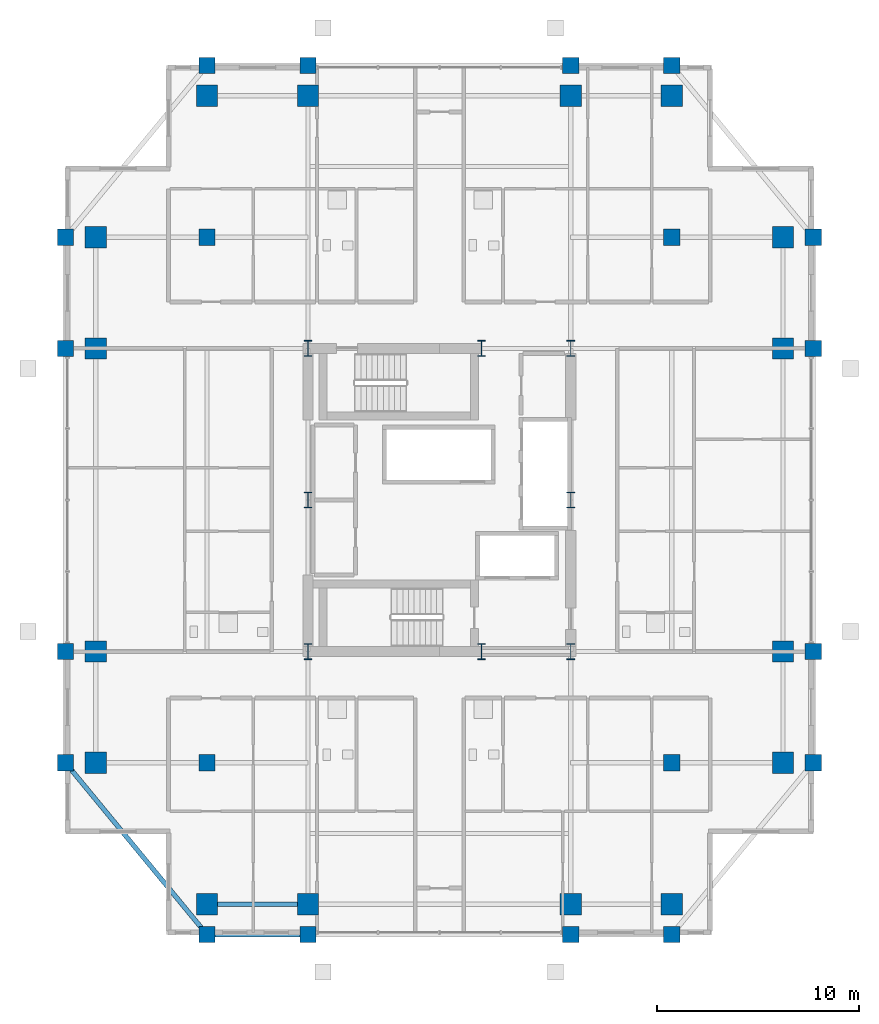
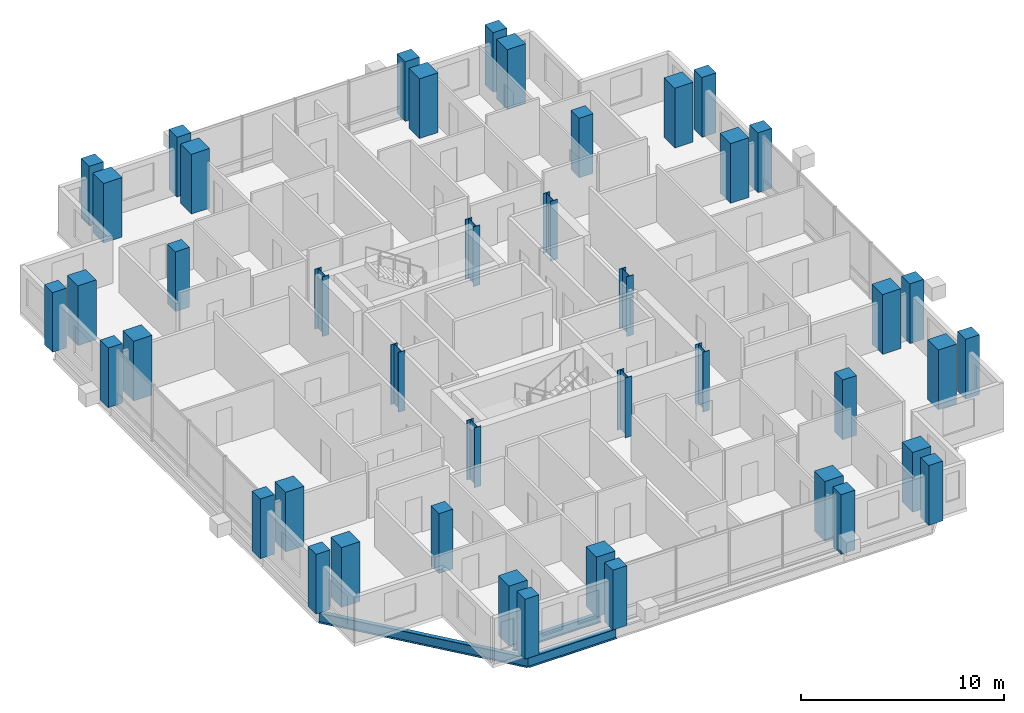
# One storey, part 1 of 24: 44 columns, 3 beams.
"""IFC4 building model written with IfcOpenShell, lengths in metres."""

from ifc_helpers import new_model, si_unit, direction, frame, origin, origin_2d, place, context, subcontext, project, spatial, rectangle, i_section, extrude, material, material_profile, profile_set, type_object, element, save


model = new_model("IFC4")

# Units and contexts
model_context = context("Model", 3, precision=1e-05, world=origin(), true_north=direction((0.0, 1.0)))
body_context = subcontext(model_context, "Body", "Model", "MODEL_VIEW")
ifc_project = project(units=[si_unit("LENGTHUNIT", "METRE"), si_unit("AREAUNIT", "SQUARE_METRE"), si_unit("VOLUMEUNIT", "CUBIC_METRE"), si_unit("PLANEANGLEUNIT", "RADIAN"), si_unit("MASSUNIT", "GRAM", prefix="KILO")], contexts=[model_context])

# Site, building, storey
site_placement = place(None, origin())
site = spatial("IfcSite", under=ifc_project, at=site_placement, CompositionType="ELEMENT")
building_placement = place(site_placement, origin())
building = spatial("IfcBuilding", under=site, at=building_placement, Name="Barlavira Tower and Art Museum", CompositionType="ELEMENT")
storey_placement = place(building_placement, frame((0.0, 0.0, 169.199951171875)))
storey = spatial("IfcBuildingStorey", under=building, at=storey_placement, Name="L43", CompositionType="ELEMENT", Elevation=169.199951171875)

# Columns
ifc_material_1 = material(Name="Steel S355", Category="steel")
ifc_material_profile_1 = material_profile(ifc_material_1, i_section(OverallWidth=0.382080078125, OverallDepth=0.785888671875, WebThickness=0.02001953125, FlangeThickness=0.032958984375, at=origin_2d()), Name="W760x314.0")
ifc_profile_set_1 = profile_set([ifc_material_profile_1], Name="Steel S355")
column_type_1 = type_object("IfcColumnType", Name="Core Composite Column W760x314 Steel S355", PredefinedType="COLUMN", material=ifc_profile_set_1)
for number, where, z_axis, x_axis, name in (
    (1, (-6.5, -7.5, 0.0), (0.0, 0.0, 1.0), (1.0, 0.0, 0.0), "L43 Column CC-L43-C1"),
    (2, (2.080078125, -7.5, 0.0), (0.0, 0.0, 1.0), (1.0, 0.0, 0.0), "L43 Column CC-L43-C2"),
    (3, (6.5, -7.5, 0.0), (0.0, 0.0, 1.0), (1.0, 0.0, 0.0), "L43 Column CC-L43-C3"),
    (4, (-6.5, 0.0, 0.0), (0.0, 0.0, 1.0), (1.0, 0.0, 0.0), "L43 Column CC-L43-C4"),
    (5, (6.5, 0.0, 0.0), (0.0, 0.0, 1.0), (1.0, 0.0, 0.0), "L43 Column CC-L43-C5"),
    (6, (-6.5, 7.5, 0.0), (0.0, 0.0, 1.0), (1.0, 0.0, 0.0), "L43 Column CC-L43-C6"),
    (7, (2.080078125, 7.5, 0.0), (0.0, 0.0, 1.0), (1.0, 0.0, 0.0), "L43 Column CC-L43-C7"),
    (8, (6.5, 7.5, 0.0), (0.0, 0.0, 1.0), (1.0, 0.0, 0.0), "L43 Column CC-L43-C8"),
):
    element("IfcColumn", number, at=place(storey_placement, frame(where, z_axis=z_axis, x_axis=x_axis)), inside=storey, type_object=column_type_1, Name=name, PredefinedType="COLUMN", context=body_context, shape_type="SweptSolid", body=[
        extrude(i_section(OverallWidth=0.382080078125, OverallDepth=0.785888671875, WebThickness=0.02001953125, FlangeThickness=0.032958984375, at=origin_2d()), origin(), (0.0, 0.0, 1.0), 3.60009765625),
    ])
ifc_material_2 = material(Name="Concrete C55", Category="concrete")
ifc_material_profile_2 = material_profile(ifc_material_2, rectangle(XDim=1.050048828125, YDim=1.050048828125, at=origin_2d()), Name="RC-COL 1050x1050")
ifc_profile_set_2 = profile_set([ifc_material_profile_2], Name="Concrete C55")
column_type_2 = type_object("IfcColumnType", Name="Perimeter Mega Column 1050x1050 Concrete C55", PredefinedType="USERDEFINED", material=ifc_profile_set_2)
for number, where, z_axis, x_axis, name in (
    (9, (-11.5, -20.0, 0.0), (0.0, 0.0, 1.0), (1.0, 0.0, 0.0), "L43 Column MC-L43-M01"),
    (10, (-6.5, -20.0, 0.0), (0.0, 0.0, 1.0), (1.0, 0.0, 0.0), "L43 Column MC-L43-M02"),
    (11, (6.5, -20.0, 0.0), (0.0, 0.0, 1.0), (1.0, 0.0, 0.0), "L43 Column MC-L43-M03"),
    (12, (11.5, -20.0, 0.0), (0.0, 0.0, 1.0), (1.0, 0.0, 0.0), "L43 Column MC-L43-M04"),
    (13, (17.0, -13.0, 0.0), (0.0, 0.0, 1.0), (1.0, 0.0, 0.0), "L43 Column MC-L43-M05"),
    (14, (17.0, -7.5, 0.0), (0.0, 0.0, 1.0), (1.0, 0.0, 0.0), "L43 Column MC-L43-M06"),
    (15, (17.0, 7.5, 0.0), (0.0, 0.0, 1.0), (1.0, 0.0, 0.0), "L43 Column MC-L43-M07"),
    (16, (17.0, 13.0, 0.0), (0.0, 0.0, 1.0), (1.0, 0.0, 0.0), "L43 Column MC-L43-M08"),
    (17, (11.5, 20.0, 0.0), (0.0, 0.0, 1.0), (1.0, 0.0, 0.0), "L43 Column MC-L43-M09"),
    (18, (6.5, 20.0, 0.0), (0.0, 0.0, 1.0), (1.0, 0.0, 0.0), "L43 Column MC-L43-M10"),
    (19, (-6.5, 20.0, 0.0), (0.0, 0.0, 1.0), (1.0, 0.0, 0.0), "L43 Column MC-L43-M11"),
    (20, (-11.5, 20.0, 0.0), (0.0, 0.0, 1.0), (1.0, 0.0, 0.0), "L43 Column MC-L43-M12"),
    (21, (-17.0, 13.0, 0.0), (0.0, 0.0, 1.0), (1.0, 0.0, 0.0), "L43 Column MC-L43-M13"),
    (22, (-17.0, 7.5, 0.0), (0.0, 0.0, 1.0), (1.0, 0.0, 0.0), "L43 Column MC-L43-M14"),
    (23, (-17.0, -7.5, 0.0), (0.0, 0.0, 1.0), (1.0, 0.0, 0.0), "L43 Column MC-L43-M15"),
    (24, (-17.0, -13.0, 0.0), (0.0, 0.0, 1.0), (1.0, 0.0, 0.0), "L43 Column MC-L43-M16"),
):
    element("IfcColumn", number, at=place(storey_placement, frame(where, z_axis=z_axis, x_axis=x_axis)), inside=storey, type_object=column_type_2, Name=name, ObjectType="MEGA COLUMN", PredefinedType="USERDEFINED", context=body_context, shape_type="SweptSolid", body=[
        extrude(rectangle(XDim=1.050048828125, YDim=1.050048828125, at=origin_2d()), origin(), (0.0, 0.0, 1.0), 3.60009765625),
    ])
ifc_material_3 = material(Name="Concrete C50", Category="concrete")
ifc_material_profile_3 = material_profile(ifc_material_3, rectangle(XDim=0.800048828125, YDim=0.800048828125, at=origin_2d()), Name="RC-COL 800x800")
ifc_profile_set_3 = profile_set([ifc_material_profile_3], Name="Concrete C50")
column_type_3 = type_object("IfcColumnType", Name="Podium Frame Column 800x800 Concrete C50", PredefinedType="COLUMN", material=ifc_profile_set_3)
for number, where, z_axis, x_axis, name in (
    (25, (-11.5, -13.0, 0.0), (0.0, 0.0, 1.0), (1.0, 0.0, 0.0), "L43 Column CI-L43-I1"),
    (26, (11.5, -13.0, 0.0), (0.0, 0.0, 1.0), (1.0, 0.0, 0.0), "L43 Column CI-L43-I2"),
    (27, (-11.5, 13.0, 0.0), (0.0, 0.0, 1.0), (1.0, 0.0, 0.0), "L43 Column CI-L43-I3"),
    (28, (11.5, 13.0, 0.0), (0.0, 0.0, 1.0), (1.0, 0.0, 0.0), "L43 Column CI-L43-I4"),
    (29, (-11.5, -21.5, 0.0), (0.0, 0.0, 1.0), (1.0, 0.0, 0.0), "L43 Column CZ3-L43-N01"),
    (30, (-6.5, -21.5, 0.0), (0.0, 0.0, 1.0), (1.0, 0.0, 0.0), "L43 Column CZ3-L43-N02"),
    (31, (6.5, -21.5, 0.0), (0.0, 0.0, 1.0), (1.0, 0.0, 0.0), "L43 Column CZ3-L43-N02B"),
    (32, (11.5, -21.5, 0.0), (0.0, 0.0, 1.0), (1.0, 0.0, 0.0), "L43 Column CZ3-L43-N03"),
    (33, (-18.5, -13.0, 0.0), (0.0, 0.0, 1.0), (1.0, 0.0, 0.0), "L43 Column CZ3-L43-N04"),
    (34, (-18.5, -7.5, 0.0), (0.0, 0.0, 1.0), (1.0, 0.0, 0.0), "L43 Column CZ3-L43-N05"),
    (35, (-18.5, 7.5, 0.0), (0.0, 0.0, 1.0), (1.0, 0.0, 0.0), "L43 Column CZ3-L43-N05B"),
    (36, (-18.5, 13.0, 0.0), (0.0, 0.0, 1.0), (1.0, 0.0, 0.0), "L43 Column CZ3-L43-N06"),
    (37, (-11.5, 21.5, 0.0), (0.0, 0.0, 1.0), (1.0, 0.0, 0.0), "L43 Column CZ3-L43-N07"),
    (38, (-6.5, 21.5, 0.0), (0.0, 0.0, 1.0), (1.0, 0.0, 0.0), "L43 Column CZ3-L43-N08"),
    (39, (6.5, 21.5, 0.0), (0.0, 0.0, 1.0), (1.0, 0.0, 0.0), "L43 Column CZ3-L43-N08B"),
    (40, (11.5, 21.5, 0.0), (0.0, 0.0, 1.0), (1.0, 0.0, 0.0), "L43 Column CZ3-L43-N09"),
    (41, (18.5, -13.0, 0.0), (0.0, 0.0, 1.0), (1.0, 0.0, 0.0), "L43 Column CZ3-L43-N10"),
    (42, (18.5, -7.5, 0.0), (0.0, 0.0, 1.0), (1.0, 0.0, 0.0), "L43 Column CZ3-L43-N11"),
    (43, (18.5, 7.5, 0.0), (0.0, 0.0, 1.0), (1.0, 0.0, 0.0), "L43 Column CZ3-L43-N11B"),
    (44, (18.5, 13.0, 0.0), (0.0, 0.0, 1.0), (1.0, 0.0, 0.0), "L43 Column CZ3-L43-N12"),
):
    element("IfcColumn", number, at=place(storey_placement, frame(where, z_axis=z_axis, x_axis=x_axis)), inside=storey, type_object=column_type_3, Name=name, PredefinedType="COLUMN", context=body_context, shape_type="SweptSolid", body=[
        extrude(rectangle(XDim=0.800048828125, YDim=0.800048828125, at=origin_2d()), origin(), (0.0, 0.0, 1.0), 3.60009765625),
    ])

# Beams
ifc_material_profile_4 = material_profile(ifc_material_1, i_section(OverallWidth=0.22998046875, OverallDepth=0.616943359375, WebThickness=0.01318359375, FlangeThickness=0.022216796875, at=origin_2d()), Name="W610x140.0")
ifc_profile_set_4 = profile_set([ifc_material_profile_4], Name="Steel S355")
beam_type_1 = type_object("IfcBeamType", Name="Upper Shaft Spandrel Edge Beam W610x140 Steel S355", PredefinedType="SPANDREL", material=ifc_profile_set_4)
beam_1_placement = place(storey_placement, frame((-11.5, -21.5, -0.528564453125), z_axis=(1.0, 0.0, 0.0), x_axis=(0.0, 1.0, 0.0)))
element("IfcBeam", 45, at=beam_1_placement, inside=storey, type_object=beam_type_1, Name="L43 Spandrel 1", PredefinedType="SPANDREL", context=body_context, shape_type="SweptSolid", body=[
    extrude(i_section(OverallWidth=0.22998046875, OverallDepth=0.616943359375, WebThickness=0.01318359375, FlangeThickness=0.022216796875, at=origin_2d()), origin(), (0.0, 0.0, 1.0), 5.0),
])
beam_2_placement = place(storey_placement, frame((-18.5, -13.0, -0.528564453125), z_axis=(0.635707252861, -0.771930235617, 0.0), x_axis=(0.771930235617, 0.635707252861, 0.0)))
element("IfcBeam", 46, at=beam_2_placement, inside=storey, type_object=beam_type_1, Name="L43 Spandrel 16", PredefinedType="SPANDREL", context=body_context, shape_type="SweptSolid", body=[
    extrude(i_section(OverallWidth=0.22998046875, OverallDepth=0.616943359375, WebThickness=0.01318359375, FlangeThickness=0.022216796875, at=origin_2d()), origin(), (0.0, 0.0, 1.0), 11.011474609375),
])
ifc_material_profile_5 = material_profile(ifc_material_1, i_section(OverallWidth=0.2109375, OverallDepth=0.5390625, WebThickness=0.01171875, FlangeThickness=0.018798828125, at=origin_2d()), Name="W530x109.0")
ifc_profile_set_5 = profile_set([ifc_material_profile_5], Name="Steel S355")
beam_type_2 = type_object("IfcBeamType", Name="Zone 3-4 Primary Floor Girder W530x109 Steel S355", PredefinedType="BEAM", material=ifc_profile_set_5)
beam_3_placement = place(storey_placement, frame((-11.5, -20.0, -0.489501953125), z_axis=(1.0, 0.0, 0.0), x_axis=(0.0, 1.0, 0.0)))
element("IfcBeam", 47, at=beam_3_placement, inside=storey, type_object=beam_type_2, Name="L43 Girder M-S1", PredefinedType="BEAM", context=body_context, shape_type="SweptSolid", body=[
    extrude(i_section(OverallWidth=0.2109375, OverallDepth=0.5390625, WebThickness=0.01171875, FlangeThickness=0.018798828125, at=origin_2d()), origin(), (0.0, 0.0, 1.0), 5.0),
])

save(model, "model.ifc")
